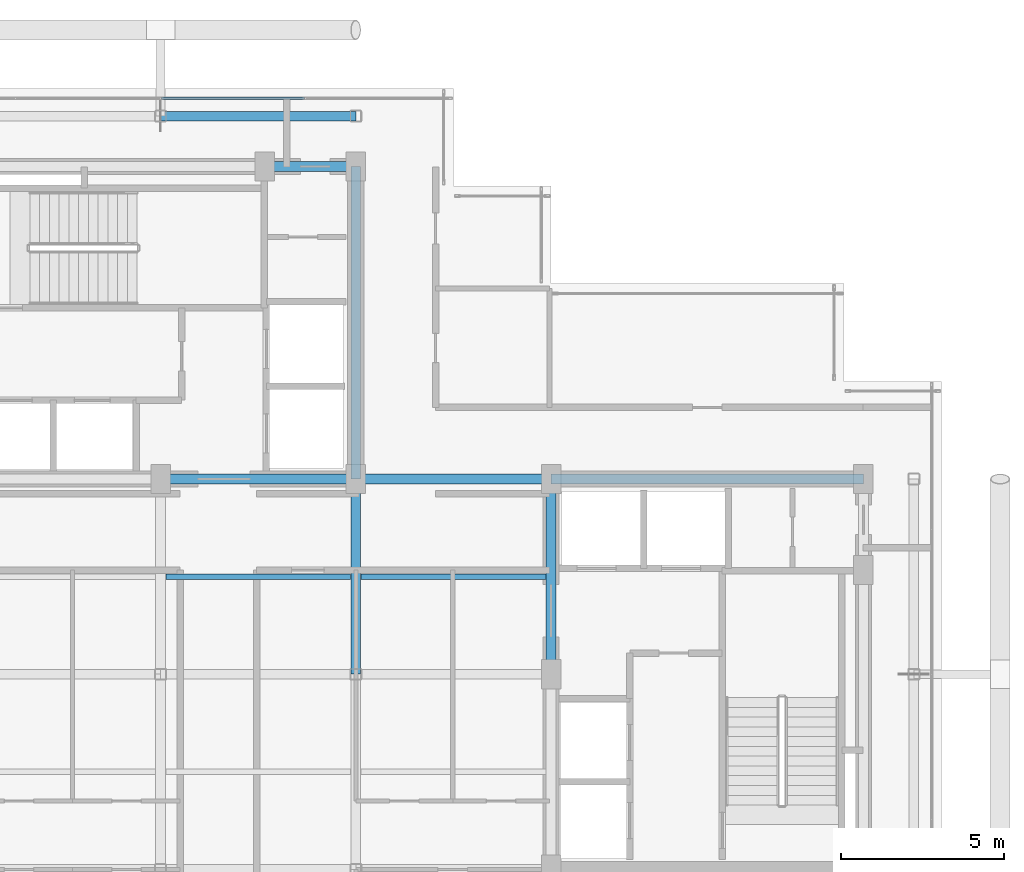
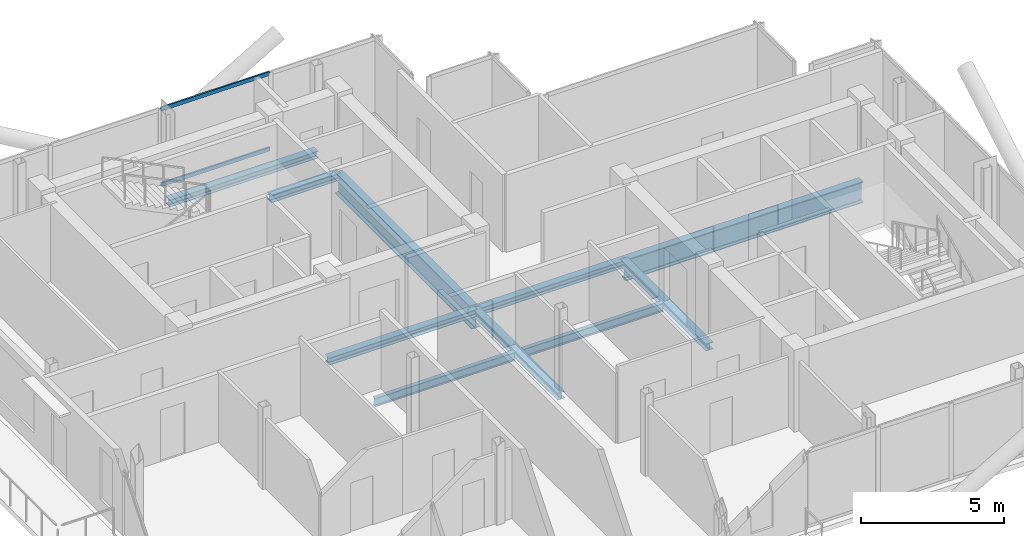
# One storey, part 9 of 18: 10 beams, 2 members, 1 element without a shape of its own.
"""IFC4 building model written with IfcOpenShell, lengths in metres."""

from ifc_helpers import new_model, si_unit, direction, frame, origin, origin_2d, place, context, subcontext, project, spatial, hollow_rectangle, i_section, extrude, material, layer, layer_set, material_profile, profile_set, type_object, element, aggregate, save


model = new_model("IFC4")

# Units and contexts
model_context = context("Model", 3, precision=1e-05, world=origin(), true_north=direction((0.0, 1.0)))
body_context = subcontext(model_context, "Body", "Model", "MODEL_VIEW")
ifc_project = project(units=[si_unit("LENGTHUNIT", "METRE"), si_unit("AREAUNIT", "SQUARE_METRE"), si_unit("VOLUMEUNIT", "CUBIC_METRE"), si_unit("PLANEANGLEUNIT", "RADIAN"), si_unit("MASSUNIT", "GRAM", prefix="KILO"), si_unit("THERMODYNAMICTEMPERATUREUNIT", "KELVIN"), si_unit("POWERUNIT", "WATT")], contexts=[model_context])

# Site, building, storey
site_placement = place(None, origin())
site = spatial("IfcSite", under=ifc_project, at=site_placement, CompositionType="ELEMENT")
building_placement = place(site_placement, origin())
building = spatial("IfcBuilding", under=site, at=building_placement, Name="Svarakhadi Broadcast Tower", CompositionType="ELEMENT")
storey_placement = place(building_placement, frame((0.0, 0.0, 253.699951171875)))
storey = spatial("IfcBuildingStorey", under=building, at=storey_placement, Name="L63", CompositionType="ELEMENT", Elevation=253.699951171875)

# Beams
ifc_material_1 = material(Name="Steel S355J2 (IS 2062 E350C)", Category="steel")
ifc_material_profile_1 = material_profile(ifc_material_1, i_section(OverallWidth=0.169921875, OverallDepth=0.360107421875, WebThickness=0.008056640625, FlangeThickness=0.0126953125, FilletRadius=0.01806640625, at=origin_2d()), Name="NPB 360x170x57")
ifc_profile_set_1 = profile_set([ifc_material_profile_1], Name="Steel S355J2 (IS 2062 E350C)")
beam_type_1 = type_object("IfcBeamType", Name="Beam_NPB360", PredefinedType="BEAM", material=ifc_profile_set_1)
for number, where, z_axis, x_axis, name in (
    (1, (12.159912109375, 15.0, -0.3798828125), (1.0, 0.0, 0.0), (0.0, 1.0, 0.0), "L63 Secondary Composite Beam SB009"),
    (2, (18.159912109375, 15.0, -0.3798828125), (1.0, 0.0, 0.0), (0.0, 1.0, 0.0), "L63 Secondary Composite Beam SB012"),
):
    element("IfcBeam", number, at=place(storey_placement, frame(where, z_axis=z_axis, x_axis=x_axis)), inside=storey, type_object=beam_type_1, Name=name, PredefinedType="BEAM", context=body_context, shape_type="SweptSolid", body=[
        extrude(i_section(OverallWidth=0.169921875, OverallDepth=0.360107421875, WebThickness=0.008056640625, FlangeThickness=0.0126953125, FilletRadius=0.01806640625, at=origin_2d()), origin(), (0.0, 0.0, 1.0), 5.68017578125),
    ])

# Curtain wall, members
ifc_material_2 = material(Name="Anodised Bronze Aluminium AA 6063-T6", Category="aluminium")
ifc_layer = layer(ifc_material_2, 0.179931640625)
ifc_layer_set = layer_set([ifc_layer], Name="Anodised Bronze Aluminium AA 6063-T6")
curtain_wall_type = type_object("IfcCurtainWallType", Name="CW_Sys_05", PredefinedType="NOTDEFINED", material=ifc_layer_set)
curtain_wall_placement = place(storey_placement, origin())
curtain_wall = element("IfcCurtainWall", 3, at=curtain_wall_placement, inside=storey, type_object=curtain_wall_type, Name="L63 Unitised Facade Curtain Wall 06", PredefinedType="NOTDEFINED")
ifc_material_profile_2 = material_profile(ifc_material_2, hollow_rectangle(XDim=0.06494140625, YDim=0.1650390625, WallThickness=0.0048828125, at=origin_2d()), Name="ALU TRANSOM 165x65x5")
ifc_profile_set_2 = profile_set([ifc_material_profile_2], Name="Anodised Bronze Aluminium AA 6063-T6")
member_type = type_object("IfcMemberType", Name="CW_Sys_05_Trn", PredefinedType="USERDEFINED", material=ifc_profile_set_2)
member_1_placement = place(storey_placement, frame((12.034912109375, 29.699951171875, 0.032470703125), z_axis=(1.0, 0.0, 0.0), x_axis=(0.0, 1.0, 0.0)))
member_1 = element("IfcMember", 4, at=member_1_placement, type_object=member_type, Name="CW-05 transom 3.1", ObjectType="TRANSOM", PredefinedType="USERDEFINED", context=body_context, shape_type="SweptSolid", body=[
    extrude(hollow_rectangle(XDim=0.06494140625, YDim=0.1650390625, WallThickness=0.0048828125, at=origin_2d()), origin(), (0.0, 0.0, 1.0), 4.385009765625),
])
member_2_placement = place(storey_placement, frame((12.034912109375, 29.699951171875, 3.267578125), z_axis=(1.0, 0.0, 0.0), x_axis=(0.0, 1.0, 0.0)))
member_2 = element("IfcMember", 5, at=member_2_placement, type_object=member_type, Name="CW-05 transom 3.2", ObjectType="TRANSOM", PredefinedType="USERDEFINED", context=body_context, shape_type="SweptSolid", body=[
    extrude(hollow_rectangle(XDim=0.06494140625, YDim=0.1650390625, WallThickness=0.0048828125, at=origin_2d()), origin(), (0.0, 0.0, 1.0), 4.385009765625),
])
aggregate(curtain_wall, [member_1, member_2])

# Beams
ifc_material_profile_3 = material_profile(ifc_material_1, i_section(OverallWidth=0.300048828125, OverallDepth=0.300048828125, WebThickness=0.010986328125, FlangeThickness=0.01904296875, FilletRadius=0.027099609375, at=origin_2d()), Name="WPB 300x300x117")
ifc_profile_set_3 = profile_set([ifc_material_profile_3], Name="Steel S355J2 (IS 2062 E350C)")
beam_type_2 = type_object("IfcBeamType", Name="Girder_WPB300", PredefinedType="USERDEFINED", material=ifc_profile_set_3)
for number, where, z_axis, x_axis, name in (
    (6, (12.0, 18.0, -0.349853515625), (1.0, 0.0, 0.0), (0.0, 1.0, 0.0), "L63 Primary E-W Girder G019"),
    (7, (18.0, 18.0, -0.349853515625), (1.0, 0.0, 0.0), (0.0, 1.0, 0.0), "L63 Primary E-W Girder G020"),
):
    element("IfcBeam", number, at=place(storey_placement, frame(where, z_axis=z_axis, x_axis=x_axis)), inside=storey, type_object=beam_type_2, Name=name, ObjectType="GIRDER", PredefinedType="USERDEFINED", context=body_context, shape_type="SweptSolid", body=[
        extrude(i_section(OverallWidth=0.300048828125, OverallDepth=0.300048828125, WebThickness=0.010986328125, FlangeThickness=0.01904296875, FilletRadius=0.027099609375, at=origin_2d()), origin(), (0.0, 0.0, 1.0), 6.0),
    ])
beam_placement = place(storey_placement, frame((15.199951171875, 27.60009765625, -0.349853515625), z_axis=(1.0, 0.0, 0.0), x_axis=(0.0, 1.0, 0.0)))
element("IfcBeam", 8, at=beam_placement, inside=storey, type_object=beam_type_2, Name="L63 Primary E-W Girder G023", ObjectType="GIRDER", PredefinedType="USERDEFINED", context=body_context, shape_type="SweptSolid", body=[
    extrude(i_section(OverallWidth=0.300048828125, OverallDepth=0.300048828125, WebThickness=0.010986328125, FlangeThickness=0.01904296875, FilletRadius=0.027099609375, at=origin_2d()), origin(), (0.0, 0.0, 1.0), 2.800048828125),
])
for number, where, z_axis, x_axis, name in (
    (9, (12.0, 29.14990234375, -0.349853515625), (1.0, 0.0, 0.0), (0.0, 1.0, 0.0), "L63 Primary E-W Girder G025"),
    (10, (18.0, 12.0, -0.349853515625), (0.0, 1.0, 0.0), (-1.0, 0.0, 0.0), "L63 Primary N-S Girder G038"),
    (11, (24.0, 12.0, -0.349853515625), (0.0, 1.0, 0.0), (-1.0, 0.0, 0.0), "L63 Primary N-S Girder G042"),
):
    element("IfcBeam", number, at=place(storey_placement, frame(where, z_axis=z_axis, x_axis=x_axis)), inside=storey, type_object=beam_type_2, Name=name, ObjectType="GIRDER", PredefinedType="USERDEFINED", context=body_context, shape_type="SweptSolid", body=[
        extrude(i_section(OverallWidth=0.300048828125, OverallDepth=0.300048828125, WebThickness=0.010986328125, FlangeThickness=0.01904296875, FilletRadius=0.027099609375, at=origin_2d()), origin(), (0.0, 0.0, 1.0), 6.0),
    ])
ifc_material_3 = material(Name="Steel S460ML (IS 2062 E450BR)", Category="steel")
ifc_material_profile_4 = material_profile(ifc_material_3, i_section(OverallWidth=0.300048828125, OverallDepth=0.89990234375, WebThickness=0.0185546875, FlangeThickness=0.034912109375, FilletRadius=0.030029296875, at=origin_2d()), Name="WPB 900x300x291")
ifc_profile_set_4 = profile_set([ifc_material_profile_4], Name="Steel S460ML (IS 2062 E450BR)")
beam_type_3 = type_object("IfcBeamType", Name="Girder_WPB900", PredefinedType="USERDEFINED", material=ifc_profile_set_4)
for number, where, z_axis, x_axis, name in (
    (12, (24.0, 18.0, -0.64990234375), (1.0, 0.0, 0.0), (0.0, 1.0, 0.0), "L63 Primary E-W Girder G021"),
    (13, (18.0, 18.0, -0.64990234375), (0.0, 1.0, 0.0), (-1.0, 0.0, 0.0), "L63 Primary N-S Girder G039"),
):
    element("IfcBeam", number, at=place(storey_placement, frame(where, z_axis=z_axis, x_axis=x_axis)), inside=storey, type_object=beam_type_3, Name=name, ObjectType="GIRDER", PredefinedType="USERDEFINED", context=body_context, shape_type="SweptSolid", body=[
        extrude(i_section(OverallWidth=0.300048828125, OverallDepth=0.89990234375, WebThickness=0.0185546875, FlangeThickness=0.034912109375, FilletRadius=0.030029296875, at=origin_2d()), origin(), (0.0, 0.0, 1.0), 9.60009765625),
    ])

save(model, "model.ifc")
